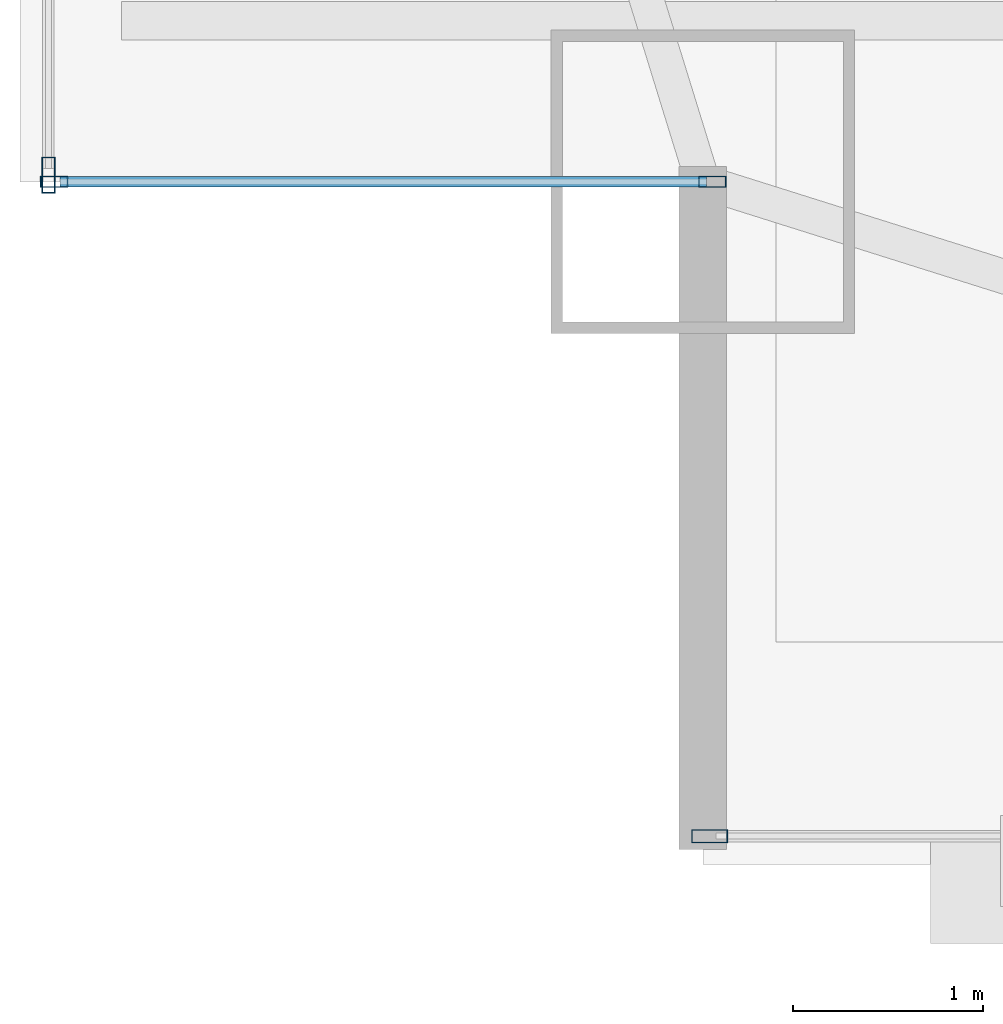
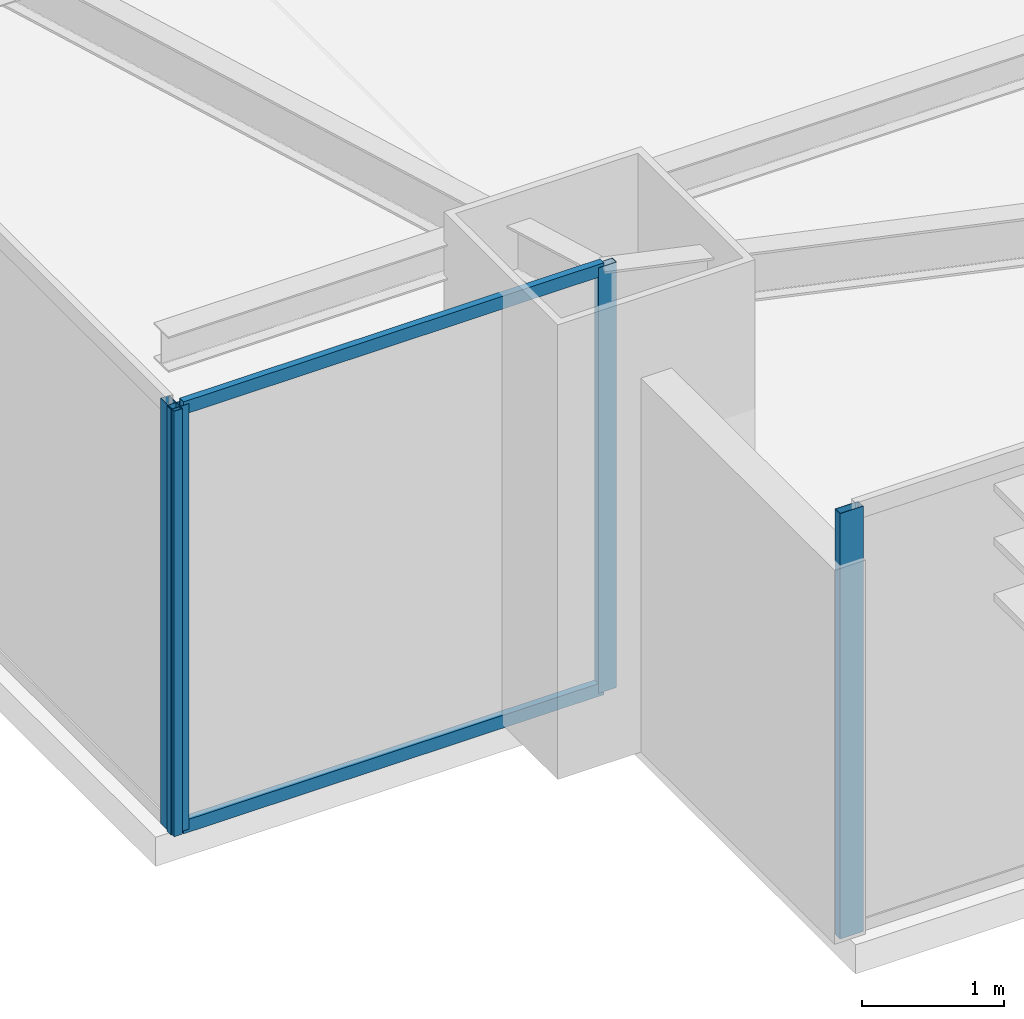
# One storey, part 3 of 32: 6 members, 3 elements without a shape of their own.
"""IFC4 building model written with IfcOpenShell, lengths in metres."""

from ifc_helpers import new_model, si_unit, direction, frame, origin, origin_2d, place, context, subcontext, project, spatial, hollow_rectangle, extrude, source, transform, mapped, material, layer, layer_set, material_profile, profile_set, type_object, type_shapes, element, aggregate, save


model = new_model("IFC4")

# Units and contexts
model_context = context("Model", 3, precision=1e-05, world=origin(), true_north=direction((0.0, 1.0)))
body_context = subcontext(model_context, "Body", "Model", "MODEL_VIEW")
ifc_project = project(units=[si_unit("LENGTHUNIT", "METRE"), si_unit("AREAUNIT", "SQUARE_METRE"), si_unit("VOLUMEUNIT", "CUBIC_METRE"), si_unit("PLANEANGLEUNIT", "RADIAN"), si_unit("MASSUNIT", "GRAM", prefix="KILO")], contexts=[model_context])

# Site, building, storey
site_placement = place(None, origin())
site = spatial("IfcSite", under=ifc_project, at=site_placement, CompositionType="ELEMENT")
building_placement = place(site_placement, origin())
building = spatial("IfcBuilding", under=site, at=building_placement, Name="Varnel Quay Broadcast Tower", CompositionType="ELEMENT")
storey_placement = place(building_placement, frame((0.0, 0.0, 58.800048828125)))
storey = spatial("IfcBuildingStorey", under=building, at=storey_placement, Name="L13", CompositionType="ELEMENT", Elevation=58.800048828125)

# Curtain wall, member
ifc_material = material(Name="Anodised Bronze Aluminium 6063-T6", Category="aluminium")
ifc_layer_1 = layer(ifc_material, 0.18994140625, Name="Anodised Bronze Aluminium 6063-T6")
ifc_layer_set_1 = layer_set([ifc_layer_1], Name="Anodised Bronze Aluminium 6063-T6")
curtain_wall_type_1 = type_object("IfcCurtainWallType", Name="CW_LowerTower", PredefinedType="NOTDEFINED", material=ifc_layer_set_1)
curtain_wall_1_placement = place(storey_placement, origin())
curtain_wall_1 = element("IfcCurtainWall", 1, at=curtain_wall_1_placement, inside=storey, type_object=curtain_wall_type_1, Name="L13 South Unitised Curtain Wall 1", PredefinedType="NOTDEFINED")
ifc_material_profile_1 = material_profile(ifc_material, hollow_rectangle(XDim=0.070068359375, YDim=0.18994140625, WallThickness=0.00390625, at=origin_2d()), Name="ALU70X190X4")
ifc_profile_set_1 = profile_set([ifc_material_profile_1], Name="Anodised Bronze Aluminium 6063-T6")
member_type_1 = type_object("IfcMemberType", Name="Mull_CWS-02", PredefinedType="MULLION", material=ifc_profile_set_1)
shared_shape_1 = source(origin(), body_context, "Body", "SweptSolid", [
    extrude(hollow_rectangle(XDim=0.070068359375, YDim=0.18994140625, WallThickness=0.00390625, at=origin_2d()), origin(), (0.0, 0.0, 1.0), 3.64990234375),
])
type_shapes(member_type_1, [shared_shape_1])
member_1_placement = place(storey_placement, frame((5.635009765625, 1.35009765625, 0.0), z_axis=(0.0, 0.0, 1.0), x_axis=(0.0, 1.0, 0.0)))
member_1 = element("IfcMember", 2, at=member_1_placement, type_object=member_type_1, Name="CWS-02 mullion 1", PredefinedType="MULLION", context=body_context, shape_type="MappedRepresentation", body=[
    mapped(shared_shape_1, transform((0.0, 0.0, 0.0), x_axis=(1.0, 0.0, 0.0), y_axis=(0.0, 1.0, 0.0), z_axis=(0.0, 0.0, 1.0), scale=1.0)),
])
aggregate(curtain_wall_1, [member_1])

curtain_wall_2_placement = place(storey_placement, origin())
curtain_wall_2 = element("IfcCurtainWall", 3, at=curtain_wall_2_placement, inside=storey, type_object=curtain_wall_type_1, Name="L13 West Unitised Curtain Wall", PredefinedType="NOTDEFINED")
member_2_placement = place(storey_placement, frame((2.14990234375, 4.8349609375, 0.0), z_axis=(0.0, 0.0, 1.0), x_axis=(-1.0, 0.0, 0.0)))
member_2 = element("IfcMember", 4, at=member_2_placement, type_object=member_type_1, Name="CWS-02 mullion 1", PredefinedType="MULLION", context=body_context, shape_type="MappedRepresentation", body=[
    mapped(shared_shape_1, transform((0.0, 0.0, 0.0), x_axis=(1.0, 0.0, 0.0), y_axis=(0.0, 1.0, 0.0), z_axis=(0.0, 0.0, 1.0), scale=1.0)),
])
aggregate(curtain_wall_2, [member_2])

# Curtain wall, members
ifc_layer_2 = layer(ifc_material, 0.18994140625, Name="Anodised Bronze Aluminium 6063-T6")
ifc_layer_set_2 = layer_set([ifc_layer_2], Name="Anodised Bronze Aluminium 6063-T6")
curtain_wall_type_2 = type_object("IfcCurtainWallType", Name="CW_NotchCorner", PredefinedType="NOTDEFINED", material=ifc_layer_set_2)
curtain_wall_3_placement = place(storey_placement, origin())
curtain_wall_3 = element("IfcCurtainWall", 5, at=curtain_wall_3_placement, inside=storey, type_object=curtain_wall_type_2, Name="L13 SW Notch Curtain Wall", PredefinedType="NOTDEFINED")
ifc_material_profile_2 = material_profile(ifc_material, hollow_rectangle(XDim=0.06005859375, YDim=0.14501953125, WallThickness=0.00341796875, at=origin_2d()), Name="ALU60X145X3.5")
ifc_profile_set_2 = profile_set([ifc_material_profile_2], Name="Anodised Bronze Aluminium 6063-T6")
member_type_2 = type_object("IfcMemberType", Name="Mull_CWS-04", PredefinedType="MULLION", material=ifc_profile_set_2)
shared_shape_2 = source(origin(), body_context, "Body", "SweptSolid", [
    extrude(hollow_rectangle(XDim=0.06005859375, YDim=0.14501953125, WallThickness=0.00341796875, at=origin_2d()), origin(), (0.0, 0.0, 1.0), 3.64990234375),
])
type_shapes(member_type_2, [shared_shape_2])
member_3_placement = place(storey_placement, frame((2.179931640625, 4.800048828125, 0.0), z_axis=(0.0, 0.0, 1.0), x_axis=(0.0, 1.0, 0.0)))
member_3 = element("IfcMember", 6, at=member_3_placement, type_object=member_type_2, Name="CWS-04 mullion 1", PredefinedType="MULLION", context=body_context, shape_type="MappedRepresentation", body=[
    mapped(shared_shape_2, transform((0.0, 0.0, 0.0), x_axis=(1.0, 0.0, 0.0), y_axis=(0.0, 1.0, 0.0), z_axis=(0.0, 0.0, 1.0), scale=1.0)),
])
member_4_placement = place(storey_placement, frame((5.64990234375, 4.800048828125, 0.0), z_axis=(0.0, 0.0, 1.0), x_axis=(0.0, 1.0, 0.0)))
member_4 = element("IfcMember", 7, at=member_4_placement, type_object=member_type_2, Name="CWS-04 mullion 2", PredefinedType="MULLION", context=body_context, shape_type="MappedRepresentation", body=[
    mapped(shared_shape_2, transform((0.0, 0.0, 0.0), x_axis=(1.0, 0.0, 0.0), y_axis=(0.0, 1.0, 0.0), z_axis=(0.0, 0.0, 1.0), scale=1.0)),
])
ifc_material_profile_3 = material_profile(ifc_material, hollow_rectangle(XDim=0.054931640625, YDim=0.110107421875, WallThickness=0.0029296875, at=origin_2d()), Name="ALU55X110X3")
ifc_profile_set_3 = profile_set([ifc_material_profile_3], Name="Anodised Bronze Aluminium 6063-T6")
member_type_3 = type_object("IfcMemberType", Name="Tran_CWS-04", PredefinedType="USERDEFINED", material=ifc_profile_set_3)
shared_shape_3 = source(origin(), body_context, "Body", "SweptSolid", [
    extrude(hollow_rectangle(XDim=0.054931640625, YDim=0.110107421875, WallThickness=0.0029296875, at=origin_2d()), origin(), (0.0, 0.0, 1.0), 3.41015625),
])
type_shapes(member_type_3, [shared_shape_3])
member_5_placement = place(storey_placement, frame((2.2099609375, 4.800048828125, 0.02734375), z_axis=(1.0, 0.0, 0.0), x_axis=(0.0, 1.0, 0.0)))
member_5 = element("IfcMember", 8, at=member_5_placement, type_object=member_type_3, Name="CWS-04 transom 1.1", ObjectType="TRANSOM", PredefinedType="USERDEFINED", context=body_context, shape_type="MappedRepresentation", body=[
    mapped(shared_shape_3, transform((0.0, 0.0, 0.0), x_axis=(1.0, 0.0, 0.0), y_axis=(0.0, 1.0, 0.0), z_axis=(0.0, 0.0, 1.0), scale=1.0)),
])
member_6_placement = place(storey_placement, frame((2.2099609375, 4.800048828125, 3.62255859375), z_axis=(1.0, 0.0, 0.0), x_axis=(0.0, 1.0, 0.0)))
member_6 = element("IfcMember", 9, at=member_6_placement, type_object=member_type_3, Name="CWS-04 transom 1.2", ObjectType="TRANSOM", PredefinedType="USERDEFINED", context=body_context, shape_type="MappedRepresentation", body=[
    mapped(shared_shape_3, transform((0.0, 0.0, 0.0), x_axis=(1.0, 0.0, 0.0), y_axis=(0.0, 1.0, 0.0), z_axis=(0.0, 0.0, 1.0), scale=1.0)),
])
aggregate(curtain_wall_3, [member_3, member_4, member_5, member_6])

save(model, "model.ifc")
